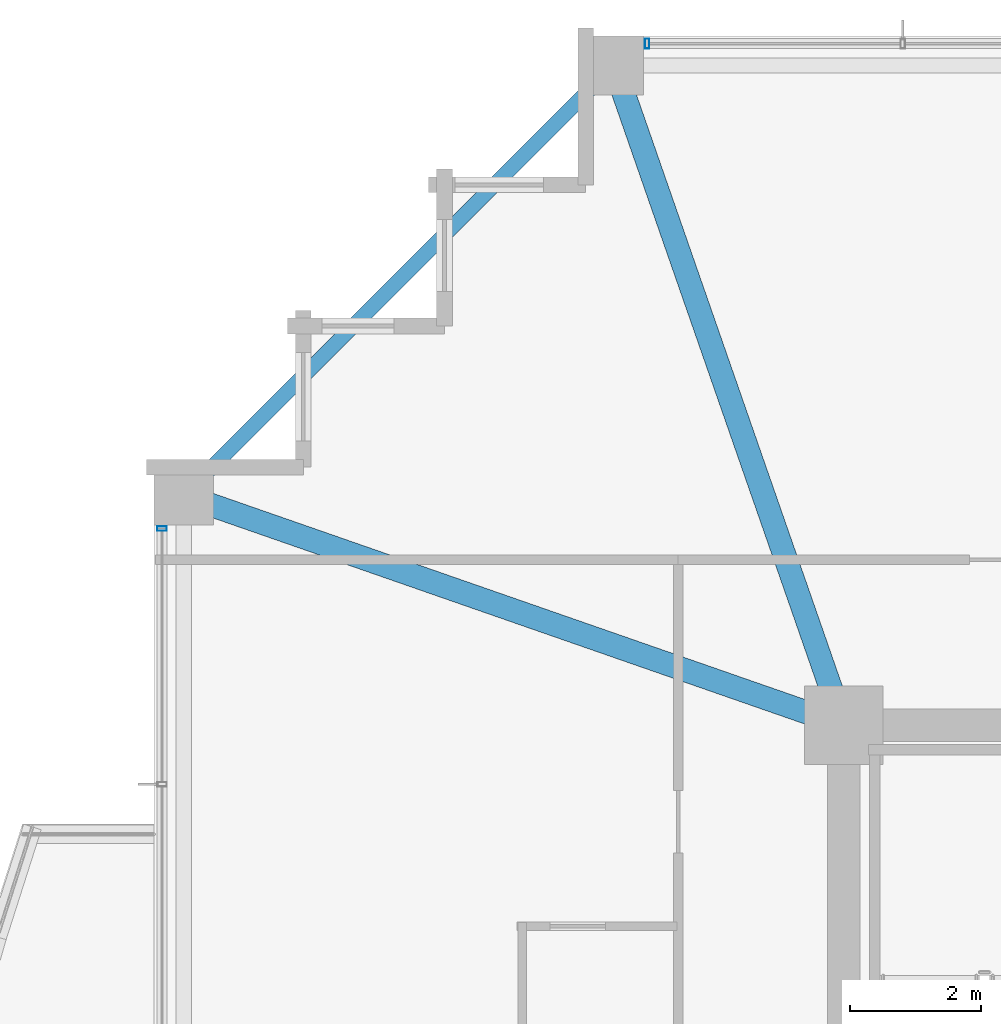
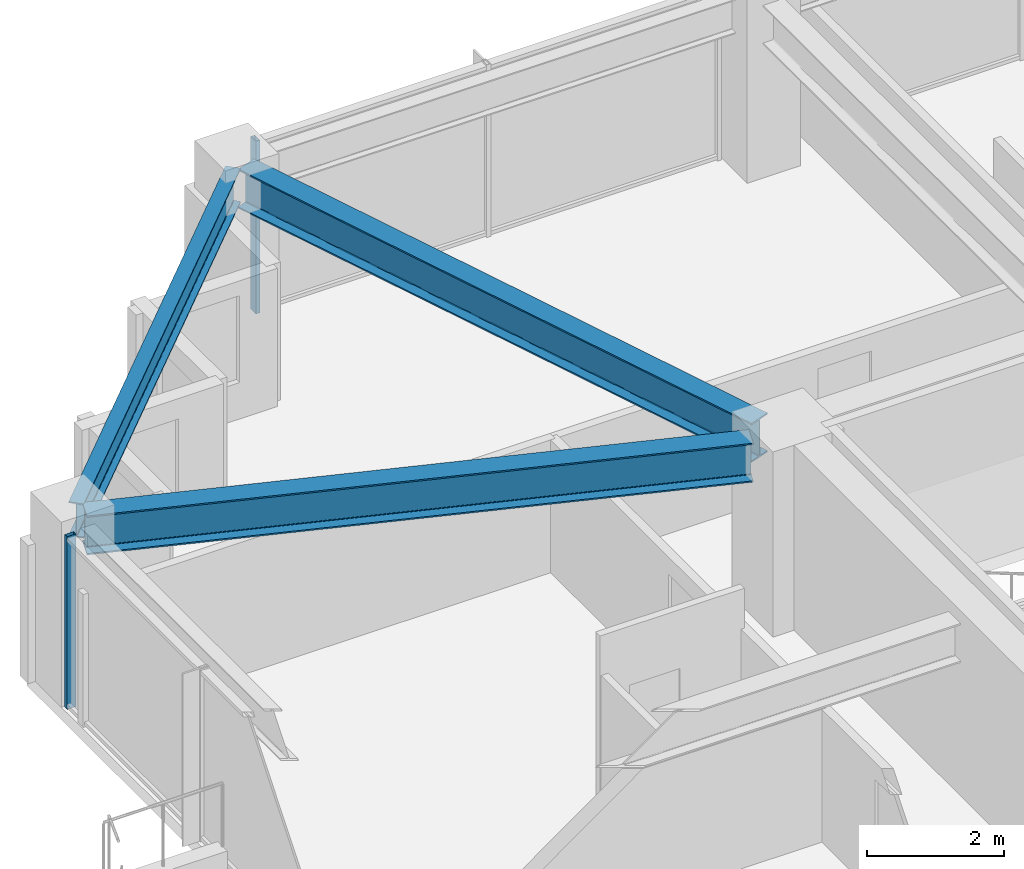
# One storey, part 16 of 34: 3 beams, 2 members, 2 elements without a shape of their own.
"""IFC4 building model written with IfcOpenShell, lengths in metres."""

import ifcopenshell
import ifcopenshell.guid

model = None  # the IFC model being written
_history = None  # IfcOwnerHistory: only IFC2X3 demands one
_inside = {}  # id of a spatial element -> (the spatial element, [elements in it])
_under = {}  # id of a project, library or spatial element -> (it, [spatial elements below it])
_declared = {}  # id of a project -> (the project, [libraries it declares])
_typed = {}  # id of a type object -> (the type object, [elements of that type])
_made_of = {}  # id of a material, layer set ... -> (it, [elements and type objects made of it])


def new_model(schema):
    """Start an empty IFC model of exactly this schema.

    Asked for "IFC4X3", IfcOpenShell would pick the latest addendum, in which some entities
    have other attributes; the version numbers below select the first issue.
    IFC2X3 requires an IfcOwnerHistory on every rooted entity: one is made here for all.
    """
    global model, _history
    if schema == "IFC4X3":
        model = ifcopenshell.file(schema_version=(4, 3, 0, 0))
    else:
        model = ifcopenshell.file(schema=schema)
    _inside.clear()
    _under.clear()
    _declared.clear()
    _typed.clear()
    _made_of.clear()
    _history = None
    if model.schema == "IFC2X3":
        org = make("IfcOrganization", Name="unknown")
        user = make(
            "IfcPersonAndOrganization",
            ThePerson=make("IfcPerson", FamilyName="unknown"),
            TheOrganization=org,
        )
        app = make(
            "IfcApplication",
            ApplicationDeveloper=org,
            Version="unknown",
            ApplicationFullName="unknown",
            ApplicationIdentifier="unknown",
        )
        _history = make(
            "IfcOwnerHistory",
            OwningUser=user,
            OwningApplication=app,
            ChangeAction="ADDED",
            CreationDate=0,
        )
    return model


def make(cls, **values):
    """One entity of the class cls with the attributes given. An attribute that is None is left unset."""
    return model.create_entity(
        cls, **{name: value for name, value in values.items() if value is not None}
    )


def rooted(cls, **values):
    """An entity with a GlobalId (a new one), such as an element, a storey or a relation."""
    return make(cls, GlobalId=ifcopenshell.guid.new(), OwnerHistory=_history, **values)


def si_unit(unit_type, name, prefix=None):
    """IfcSIUnit, for example si_unit("LENGTHUNIT", "METRE", prefix="MILLI")."""
    return make("IfcSIUnit", UnitType=unit_type, Prefix=prefix, Name=name)


def assignment(units):
    """IfcUnitAssignment: the units of a project."""
    return None if units is None else make("IfcUnitAssignment", Units=units)


def point(xyz):
    """IfcCartesianPoint."""
    return None if xyz is None else make("IfcCartesianPoint", Coordinates=xyz)


def direction(xyz):
    """IfcDirection."""
    return None if xyz is None else make("IfcDirection", DirectionRatios=xyz)


def frame(location, z_axis=None, x_axis=None):
    """IfcAxis2Placement3D, a coordinate frame: its origin and axes. An axis left out is left unset."""
    return make(
        "IfcAxis2Placement3D",
        Location=point(location),
        Axis=direction(z_axis),
        RefDirection=direction(x_axis),
    )


def frame_2d(location, x_axis=None):
    """IfcAxis2Placement2D, a coordinate frame in the plane: its origin and x axis."""
    return make(
        "IfcAxis2Placement2D", Location=point(location), RefDirection=direction(x_axis)
    )


def origin():
    """The frame at (0, 0, 0) with its axes left unset."""
    return frame((0.0, 0.0, 0.0))


def origin_2d():
    """The frame at (0, 0) in the plane with its x axis left unset."""
    return frame_2d((0.0, 0.0))


def place(relative_to, where):
    """IfcLocalPlacement: puts the frame where relative to a parent placement (None: the world)."""
    return make(
        "IfcLocalPlacement", PlacementRelTo=relative_to, RelativePlacement=where
    )


def context(
    kind, dimensions, precision=None, world=None, true_north=None, identifier=None
):
    """IfcGeometricRepresentationContext, for example the 3D "Model" context."""
    return make(
        "IfcGeometricRepresentationContext",
        ContextIdentifier=identifier,
        ContextType=kind,
        CoordinateSpaceDimension=dimensions,
        Precision=precision,
        WorldCoordinateSystem=world,
        TrueNorth=true_north,
    )


def subcontext(parent, identifier, kind, view, scale=None):
    """IfcGeometricRepresentationSubContext, for example "Body" below "Model"."""
    return make(
        "IfcGeometricRepresentationSubContext",
        ContextIdentifier=identifier,
        ContextType=kind,
        ParentContext=parent,
        TargetScale=scale,
        TargetView=view,
    )


def project(units=None, contexts=None):
    """IfcProject with its units and contexts."""
    return rooted(
        "IfcProject",
        Name="project",
        RepresentationContexts=contexts,
        UnitsInContext=assignment(units),
    )


def spatial(cls, under=None, at=None, **own):
    """A site, building, storey or space (cls), placed at a placement, below another one or the project."""
    s = rooted(cls, ObjectPlacement=at, **own)
    if under is not None:
        _under.setdefault(under.id(), (under, []))[1].append(s)
    return s


def profile(cls, at=None, kind="AREA", **sizes):
    """A parametric profile (cls). Its sizes go by their IFC names, for example OverallWidth=200.0."""
    return make(cls, ProfileType=kind, Position=at, **sizes)


def hollow_rectangle(**sizes):
    """IfcRectangleHollowProfileDef."""
    return profile("IfcRectangleHollowProfileDef", **sizes)


def i_section(**sizes):
    """IfcIShapeProfileDef."""
    return profile("IfcIShapeProfileDef", **sizes)


def extrude(swept, where, along, depth):
    """IfcExtrudedAreaSolid: the profile swept, set in the frame where, extruded along a direction by depth."""
    return make(
        "IfcExtrudedAreaSolid",
        SweptArea=swept,
        Position=where,
        ExtrudedDirection=direction(along),
        Depth=depth,
    )


def shape(context_of_items, identifier, shape_type, items):
    """IfcShapeRepresentation: the items that make up one representation, for example the "Body"."""
    return make(
        "IfcShapeRepresentation",
        ContextOfItems=context_of_items,
        RepresentationIdentifier=identifier,
        RepresentationType=shape_type,
        Items=items,
    )


def material(Name=None, Category=None):
    """IfcMaterial."""
    return make("IfcMaterial", Name=Name, Category=Category)


def material_profile(
    of_material, cross_section, Name=None, Category=None, Priority=None
):
    """IfcMaterialProfile: a cross section and its material."""
    return make(
        "IfcMaterialProfile",
        Name=Name,
        Material=of_material,
        Profile=cross_section,
        Priority=Priority,
        Category=Category,
    )


def profile_set(profiles, Name=None, composite=None):
    """IfcMaterialProfileSet."""
    return make(
        "IfcMaterialProfileSet",
        Name=Name,
        MaterialProfiles=profiles,
        CompositeProfile=composite,
    )


def made_of(thing, what):
    """Note that an element or type object is made of a material, layer set ...; save() writes the relation."""
    if what is not None:
        _made_of.setdefault(what.id(), (what, []))[1].append(thing)
    return thing


def type_object(cls, material=None, **own):
    """A type object (cls), such as IfcWallType, which elements share."""
    return made_of(rooted(cls, **own), material)


def element(
    cls,
    number,
    at=None,
    inside=None,
    cuts=None,
    type_object=None,
    material=None,
    context=None,
    identifier="Body",
    shape_type=None,
    held_by="IfcProductDefinitionShape",
    body=None,
    shapes=None,
    **own,
):
    """One element of the class cls, such as IfcWall. Its Tag is "e" and its number.

    at: its placement. inside: the storey or other place that contains it. cuts: it is an
    opening in that element (IfcRelVoidsElement). A single representation is given by context,
    identifier, shape_type and body (its items); several are given by shapes. held_by: the class
    of the entity that holds the representations. save() writes the other relations.
    """
    e = rooted(cls, Tag="e%d" % number, ObjectPlacement=at, **own)
    if body is not None:
        shapes = [shape(context, identifier, shape_type, body)]
    if shapes is not None:
        e.Representation = make(held_by, Representations=shapes)
    if inside is not None:
        _inside.setdefault(inside.id(), (inside, []))[1].append(e)
    if cuts is not None:
        rooted(
            "IfcRelVoidsElement", RelatingBuildingElement=cuts, RelatedOpeningElement=e
        )
    if type_object is not None:
        _typed.setdefault(type_object.id(), (type_object, []))[1].append(e)
    return made_of(e, material)


def aggregate(whole, parts):
    """IfcRelAggregates: a whole, such as a stair, and the parts it consists of."""
    return rooted("IfcRelAggregates", RelatingObject=whole, RelatedObjects=parts)


def save(model, path):
    """Write the relations noted so far, then the file.

    IfcRelAggregates (storeys below a building ...), IfcRelContainedInSpatialStructure (elements
    in a storey), IfcRelDefinesByType, IfcRelAssociatesMaterial and IfcRelDeclares: one each for
    every whole, place, type object, material and project.
    """
    for whole, parts in _under.values():
        aggregate(whole, parts)
    for where, things in _inside.values():
        rooted(
            "IfcRelContainedInSpatialStructure",
            RelatedElements=things,
            RelatingStructure=where,
        )
    for kind, things in _typed.values():
        rooted("IfcRelDefinesByType", RelatedObjects=things, RelatingType=kind)
    for what, things in _made_of.values():
        rooted("IfcRelAssociatesMaterial", RelatedObjects=things, RelatingMaterial=what)
    for by, libraries in _declared.values():
        rooted("IfcRelDeclares", RelatingContext=by, RelatedDefinitions=libraries)
    model.write(path)


model = new_model("IFC4")

# Units and contexts
model_context = context("Model", 3, precision=1e-05, world=origin(), true_north=direction((0.0, 1.0)))
body_context = subcontext(model_context, "Body", "Model", "MODEL_VIEW")
ifc_project = project(units=[si_unit("LENGTHUNIT", "METRE"), si_unit("AREAUNIT", "SQUARE_METRE"), si_unit("VOLUMEUNIT", "CUBIC_METRE"), si_unit("PLANEANGLEUNIT", "RADIAN"), si_unit("MASSUNIT", "GRAM", prefix="KILO")], contexts=[model_context])

# Site, building, storey
site_placement = place(None, origin())
site = spatial("IfcSite", under=ifc_project, at=site_placement, CompositionType="ELEMENT")
building_placement = place(site_placement, origin())
building = spatial("IfcBuilding", under=site, at=building_placement, Name="Kolvaren Belvedere", CompositionType="ELEMENT")
storey_placement = place(building_placement, frame((0.0, 0.0, 189.89990234375)))
storey = spatial("IfcBuildingStorey", under=building, at=storey_placement, Name="L55", CompositionType="ELEMENT", Elevation=189.89990234375)

# Beams
ifc_material_1 = material(Name="Structural steel ASTM A992 Grade 50", Category="steel")
ifc_material_profile_1 = material_profile(ifc_material_1, i_section(OverallWidth=0.35498046875, OverallDepth=0.696044921875, WebThickness=0.015380859375, FlangeThickness=0.02490234375, FilletRadius=0.02197265625, at=origin_2d()), Name="W27X146")
ifc_profile_set_1 = profile_set([ifc_material_profile_1], Name="Structural steel ASTM A992 Grade 50")
beam_type_1 = type_object("IfcBeamType", Name="BM-GIRD-W27X146", PredefinedType="BEAM", material=ifc_profile_set_1)
for number, where, z_axis, x_axis, name in (
    (1, (-10.080810546875, 10.41943359375, 2.732177734375), (-0.328894130701, 0.944366798861, 0.0), (-0.944366798861, -0.328894130701, 0.0), "L55 Corner Core-to-Perimeter Girder CC4-N1"),
    (2, (-10.41943359375, 10.080810546875, 2.732177734375), (-0.944366798861, 0.328894130701, 0.0), (-0.328894130701, -0.944366798861, 0.0), "L55 Corner Core-to-Perimeter Girder CC4-W4"),
):
    element("IfcBeam", number, at=place(storey_placement, frame(where, z_axis=z_axis, x_axis=x_axis)), inside=storey, type_object=beam_type_1, Name=name, PredefinedType="BEAM", context=body_context, shape_type="SweptSolid", body=[
        extrude(i_section(OverallWidth=0.35498046875, OverallDepth=0.696044921875, WebThickness=0.015380859375, FlangeThickness=0.02490234375, FilletRadius=0.02197265625, at=origin_2d()), origin(), (0.0, 0.0, 1.0), 9.912109375),
    ])
ifc_material_2 = material(Name="Structural steel ASTM A992 Grade 50", Category="steel")
ifc_material_profile_2 = material_profile(ifc_material_2, i_section(OverallWidth=0.22900390625, OverallDepth=0.612060546875, WebThickness=0.011962890625, FlangeThickness=0.01953125, FilletRadius=0.01806640625, at=origin_2d()), Name="W24X84")
ifc_profile_set_2 = profile_set([ifc_material_profile_2], Name="Structural steel ASTM A992 Grade 50")
beam_type_2 = type_object("IfcBeamType", Name="BM-SPAN-W24X84", PredefinedType="SPANDREL", material=ifc_profile_set_2)
beam_placement = place(storey_placement, frame((-13.543212890625, 19.806884765625, 2.774169921875), z_axis=(-0.707106781187, -0.707106781187, 0.0), x_axis=(0.707106781187, -0.707106781187, 0.0)))
element("IfcBeam", 3, at=beam_placement, inside=storey, type_object=beam_type_2, Name="L55 Perimeter Spandrel N1-W4", PredefinedType="SPANDREL", context=body_context, shape_type="SweptSolid", body=[
    extrude(i_section(OverallWidth=0.22900390625, OverallDepth=0.612060546875, WebThickness=0.011962890625, FlangeThickness=0.01953125, FilletRadius=0.01806640625, at=origin_2d()), origin(), (0.0, 0.0, 1.0), 8.858154296875),
])

# Curtain wall, member
ifc_material_3 = material(Name="Anodised pale-metal aluminium AA 6063-T6", Category="aluminium")
curtain_wall_type = type_object("IfcCurtainWallType", Name="CW-Z5-HIGH", PredefinedType="NOTDEFINED", material=ifc_material_3)
curtain_wall_1_placement = place(storey_placement, origin())
curtain_wall_1 = element("IfcCurtainWall", 4, at=curtain_wall_1_placement, inside=storey, type_object=curtain_wall_type, Name="L55 Unitised Curtain Wall FCW-L55-N-B1", PredefinedType="NOTDEFINED")
ifc_material_4 = material(Name="Anodised pale-metal aluminium AA 6063-T6", Category="aluminium")
ifc_material_profile_3 = material_profile(ifc_material_4, hollow_rectangle(XDim=0.070068359375, YDim=0.14990234375, WallThickness=0.004150390625, at=origin_2d()), Name="ALU-MUL-150X70")
ifc_profile_set_3 = profile_set([ifc_material_profile_3], Name="Anodised pale-metal aluminium AA 6063-T6")
member_type = type_object("IfcMemberType", Name="CW-MUL-150", PredefinedType="MULLION", material=ifc_profile_set_3)
member_1_placement = place(storey_placement, frame((-12.89501953125, 20.280029296875, 0.0), z_axis=(0.0, 0.0, 1.0), x_axis=(1.0, 0.0, 0.0)))
member_1 = element("IfcMember", 5, at=member_1_placement, type_object=member_type, Name="FCW-L55-N-B1 Unitised Mullion 1", PredefinedType="MULLION", context=body_context, shape_type="SweptSolid", body=[
    extrude(hollow_rectangle(XDim=0.070068359375, YDim=0.14990234375, WallThickness=0.004150390625, at=origin_2d()), origin(), (0.0, 0.0, 1.0), 3.080078125),
])
aggregate(curtain_wall_1, [member_1])

curtain_wall_2_placement = place(storey_placement, origin())
curtain_wall_2 = element("IfcCurtainWall", 6, at=curtain_wall_2_placement, inside=storey, type_object=curtain_wall_type, Name="L55 Unitised Curtain Wall FCW-L55-W2-B2", PredefinedType="NOTDEFINED")
member_2_placement = place(storey_placement, frame((-20.280029296875, 12.89501953125, 0.0), z_axis=(0.0, 0.0, 1.0), x_axis=(0.0, 1.0, 0.0)))
member_2 = element("IfcMember", 7, at=member_2_placement, type_object=member_type, Name="FCW-L55-W2-B2 Unitised Mullion 3", PredefinedType="MULLION", context=body_context, shape_type="SweptSolid", body=[
    extrude(hollow_rectangle(XDim=0.070068359375, YDim=0.14990234375, WallThickness=0.004150390625, at=origin_2d()), origin(), (0.0, 0.0, 1.0), 3.080078125),
])
aggregate(curtain_wall_2, [member_2])

save(model, "model.ifc")
